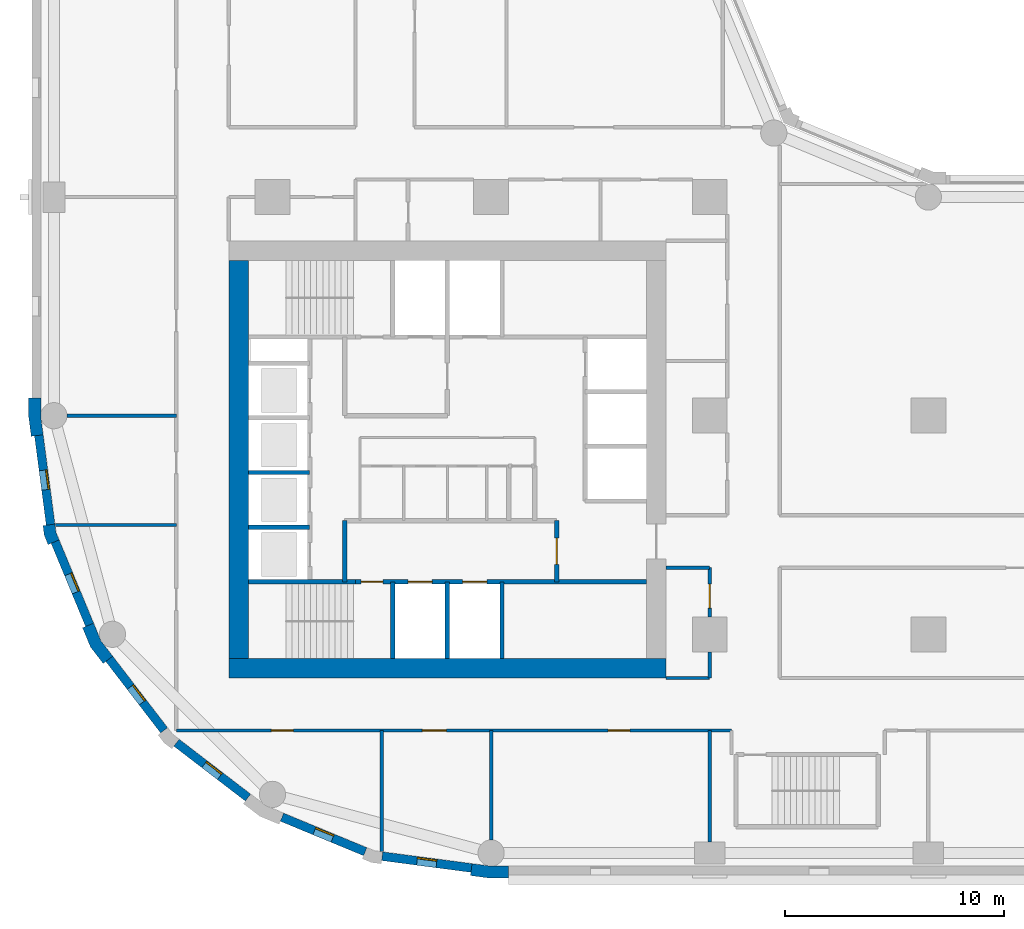
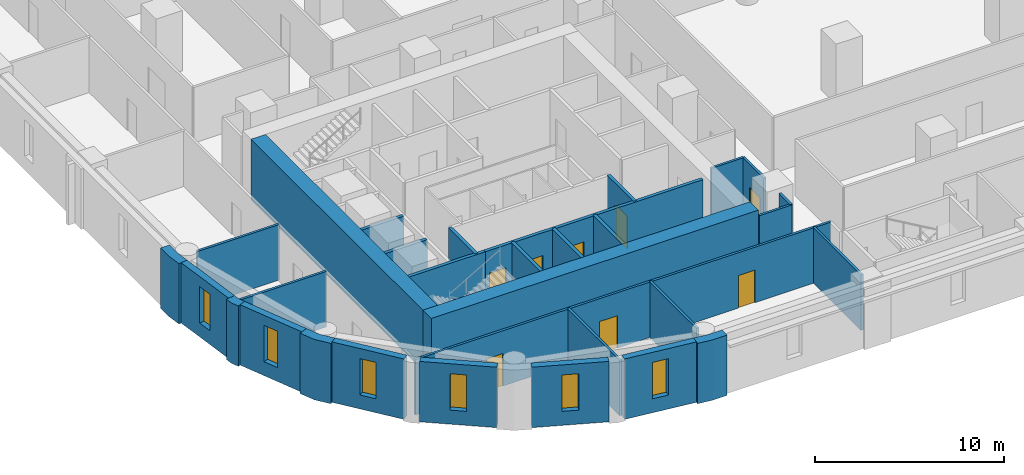
# One storey, part 2 of 10: 31 walls, 8 doors, 6 windows, 14 openings.
"""IFC4 building model written with IfcOpenShell, lengths in metres."""

import ifcopenshell
import ifcopenshell.guid

model = None  # the IFC model being written
_history = None  # IfcOwnerHistory: only IFC2X3 demands one
_inside = {}  # id of a spatial element -> (the spatial element, [elements in it])
_under = {}  # id of a project, library or spatial element -> (it, [spatial elements below it])
_declared = {}  # id of a project -> (the project, [libraries it declares])
_typed = {}  # id of a type object -> (the type object, [elements of that type])
_made_of = {}  # id of a material, layer set ... -> (it, [elements and type objects made of it])


def new_model(schema):
    """Start an empty IFC model of exactly this schema.

    Asked for "IFC4X3", IfcOpenShell would pick the latest addendum, in which some entities
    have other attributes; the version numbers below select the first issue.
    IFC2X3 requires an IfcOwnerHistory on every rooted entity: one is made here for all.
    """
    global model, _history
    if schema == "IFC4X3":
        model = ifcopenshell.file(schema_version=(4, 3, 0, 0))
    else:
        model = ifcopenshell.file(schema=schema)
    _inside.clear()
    _under.clear()
    _declared.clear()
    _typed.clear()
    _made_of.clear()
    _history = None
    if model.schema == "IFC2X3":
        org = make("IfcOrganization", Name="unknown")
        user = make(
            "IfcPersonAndOrganization",
            ThePerson=make("IfcPerson", FamilyName="unknown"),
            TheOrganization=org,
        )
        app = make(
            "IfcApplication",
            ApplicationDeveloper=org,
            Version="unknown",
            ApplicationFullName="unknown",
            ApplicationIdentifier="unknown",
        )
        _history = make(
            "IfcOwnerHistory",
            OwningUser=user,
            OwningApplication=app,
            ChangeAction="ADDED",
            CreationDate=0,
        )
    return model


def make(cls, **values):
    """One entity of the class cls with the attributes given. An attribute that is None is left unset."""
    return model.create_entity(
        cls, **{name: value for name, value in values.items() if value is not None}
    )


def rooted(cls, **values):
    """An entity with a GlobalId (a new one), such as an element, a storey or a relation."""
    return make(cls, GlobalId=ifcopenshell.guid.new(), OwnerHistory=_history, **values)


def si_unit(unit_type, name, prefix=None):
    """IfcSIUnit, for example si_unit("LENGTHUNIT", "METRE", prefix="MILLI")."""
    return make("IfcSIUnit", UnitType=unit_type, Prefix=prefix, Name=name)


def assignment(units):
    """IfcUnitAssignment: the units of a project."""
    return None if units is None else make("IfcUnitAssignment", Units=units)


def point(xyz):
    """IfcCartesianPoint."""
    return None if xyz is None else make("IfcCartesianPoint", Coordinates=xyz)


def direction(xyz):
    """IfcDirection."""
    return None if xyz is None else make("IfcDirection", DirectionRatios=xyz)


def frame(location, z_axis=None, x_axis=None):
    """IfcAxis2Placement3D, a coordinate frame: its origin and axes. An axis left out is left unset."""
    return make(
        "IfcAxis2Placement3D",
        Location=point(location),
        Axis=direction(z_axis),
        RefDirection=direction(x_axis),
    )


def frame_2d(location, x_axis=None):
    """IfcAxis2Placement2D, a coordinate frame in the plane: its origin and x axis."""
    return make(
        "IfcAxis2Placement2D", Location=point(location), RefDirection=direction(x_axis)
    )


def origin():
    """The frame at (0, 0, 0) with its axes left unset."""
    return frame((0.0, 0.0, 0.0))


def place(relative_to, where):
    """IfcLocalPlacement: puts the frame where relative to a parent placement (None: the world)."""
    return make(
        "IfcLocalPlacement", PlacementRelTo=relative_to, RelativePlacement=where
    )


def context(
    kind, dimensions, precision=None, world=None, true_north=None, identifier=None
):
    """IfcGeometricRepresentationContext, for example the 3D "Model" context."""
    return make(
        "IfcGeometricRepresentationContext",
        ContextIdentifier=identifier,
        ContextType=kind,
        CoordinateSpaceDimension=dimensions,
        Precision=precision,
        WorldCoordinateSystem=world,
        TrueNorth=true_north,
    )


def subcontext(parent, identifier, kind, view, scale=None):
    """IfcGeometricRepresentationSubContext, for example "Body" below "Model"."""
    return make(
        "IfcGeometricRepresentationSubContext",
        ContextIdentifier=identifier,
        ContextType=kind,
        ParentContext=parent,
        TargetScale=scale,
        TargetView=view,
    )


def project(units=None, contexts=None):
    """IfcProject with its units and contexts."""
    return rooted(
        "IfcProject",
        Name="project",
        RepresentationContexts=contexts,
        UnitsInContext=assignment(units),
    )


def spatial(cls, under=None, at=None, **own):
    """A site, building, storey or space (cls), placed at a placement, below another one or the project."""
    s = rooted(cls, ObjectPlacement=at, **own)
    if under is not None:
        _under.setdefault(under.id(), (under, []))[1].append(s)
    return s


def polyline(points):
    """IfcPolyline through the points."""
    return make("IfcPolyline", Points=[point(p) for p in points])


def profile(cls, at=None, kind="AREA", **sizes):
    """A parametric profile (cls). Its sizes go by their IFC names, for example OverallWidth=200.0."""
    return make(cls, ProfileType=kind, Position=at, **sizes)


def rectangle(**sizes):
    """IfcRectangleProfileDef."""
    return profile("IfcRectangleProfileDef", **sizes)


def outline(outer, holes=None, kind="AREA"):
    """IfcArbitraryClosedProfileDef: a profile drawn as a closed curve; with holes, ...WithVoids."""
    if holes is None:
        return make("IfcArbitraryClosedProfileDef", ProfileType=kind, OuterCurve=outer)
    return make(
        "IfcArbitraryProfileDefWithVoids",
        ProfileType=kind,
        OuterCurve=outer,
        InnerCurves=holes,
    )


def extrude(swept, where, along, depth):
    """IfcExtrudedAreaSolid: the profile swept, set in the frame where, extruded along a direction by depth."""
    return make(
        "IfcExtrudedAreaSolid",
        SweptArea=swept,
        Position=where,
        ExtrudedDirection=direction(along),
        Depth=depth,
    )


def shape(context_of_items, identifier, shape_type, items):
    """IfcShapeRepresentation: the items that make up one representation, for example the "Body"."""
    return make(
        "IfcShapeRepresentation",
        ContextOfItems=context_of_items,
        RepresentationIdentifier=identifier,
        RepresentationType=shape_type,
        Items=items,
    )


def material(Name=None, Category=None):
    """IfcMaterial."""
    return make("IfcMaterial", Name=Name, Category=Category)


def layer(
    of_material, thickness, ventilated=None, Name=None, Category=None, Priority=None
):
    """IfcMaterialLayer: one layer of a wall or slab, of a material (None: an air gap)."""
    return make(
        "IfcMaterialLayer",
        Material=of_material,
        LayerThickness=thickness,
        IsVentilated=ventilated,
        Name=Name,
        Category=Category,
        Priority=Priority,
    )


def layer_set(layers, Name=None):
    """IfcMaterialLayerSet."""
    return make("IfcMaterialLayerSet", MaterialLayers=layers, LayerSetName=Name)


def made_of(thing, what):
    """Note that an element or type object is made of a material, layer set ...; save() writes the relation."""
    if what is not None:
        _made_of.setdefault(what.id(), (what, []))[1].append(thing)
    return thing


def type_object(cls, material=None, **own):
    """A type object (cls), such as IfcWallType, which elements share."""
    return made_of(rooted(cls, **own), material)


def element(
    cls,
    number,
    at=None,
    inside=None,
    cuts=None,
    type_object=None,
    material=None,
    context=None,
    identifier="Body",
    shape_type=None,
    held_by="IfcProductDefinitionShape",
    body=None,
    shapes=None,
    **own,
):
    """One element of the class cls, such as IfcWall. Its Tag is "e" and its number.

    at: its placement. inside: the storey or other place that contains it. cuts: it is an
    opening in that element (IfcRelVoidsElement). A single representation is given by context,
    identifier, shape_type and body (its items); several are given by shapes. held_by: the class
    of the entity that holds the representations. save() writes the other relations.
    """
    e = rooted(cls, Tag="e%d" % number, ObjectPlacement=at, **own)
    if body is not None:
        shapes = [shape(context, identifier, shape_type, body)]
    if shapes is not None:
        e.Representation = make(held_by, Representations=shapes)
    if inside is not None:
        _inside.setdefault(inside.id(), (inside, []))[1].append(e)
    if cuts is not None:
        rooted(
            "IfcRelVoidsElement", RelatingBuildingElement=cuts, RelatedOpeningElement=e
        )
    if type_object is not None:
        _typed.setdefault(type_object.id(), (type_object, []))[1].append(e)
    return made_of(e, material)


def fill(opening, filler):
    """IfcRelFillsElement: the door or window that sits in an opening."""
    return rooted(
        "IfcRelFillsElement",
        RelatingOpeningElement=opening,
        RelatedBuildingElement=filler,
    )


def aggregate(whole, parts):
    """IfcRelAggregates: a whole, such as a stair, and the parts it consists of."""
    return rooted("IfcRelAggregates", RelatingObject=whole, RelatedObjects=parts)


def save(model, path):
    """Write the relations noted so far, then the file.

    IfcRelAggregates (storeys below a building ...), IfcRelContainedInSpatialStructure (elements
    in a storey), IfcRelDefinesByType, IfcRelAssociatesMaterial and IfcRelDeclares: one each for
    every whole, place, type object, material and project.
    """
    for whole, parts in _under.values():
        aggregate(whole, parts)
    for where, things in _inside.values():
        rooted(
            "IfcRelContainedInSpatialStructure",
            RelatedElements=things,
            RelatingStructure=where,
        )
    for kind, things in _typed.values():
        rooted("IfcRelDefinesByType", RelatedObjects=things, RelatingType=kind)
    for what, things in _made_of.values():
        rooted("IfcRelAssociatesMaterial", RelatedObjects=things, RelatingMaterial=what)
    for by, libraries in _declared.values():
        rooted("IfcRelDeclares", RelatingContext=by, RelatedDefinitions=libraries)
    model.write(path)


model = new_model("IFC4")

# Units and contexts
model_context = context("Model", 3, precision=1e-05, world=origin(), true_north=direction((0.0, 1.0)))
body_context = subcontext(model_context, "Body", "Model", "MODEL_VIEW")
ifc_project = project(units=[si_unit("LENGTHUNIT", "METRE"), si_unit("AREAUNIT", "SQUARE_METRE"), si_unit("VOLUMEUNIT", "CUBIC_METRE"), si_unit("PLANEANGLEUNIT", "RADIAN"), si_unit("MASSUNIT", "GRAM", prefix="KILO")], contexts=[model_context])

# Site, building, storey
site_placement = place(None, origin())
site = spatial("IfcSite", under=ifc_project, at=site_placement, CompositionType="ELEMENT")
building_placement = place(site_placement, origin())
building = spatial("IfcBuilding", under=site, at=building_placement, Name="Qaws Garden Tower", CompositionType="ELEMENT")
storey_placement = place(building_placement, frame((0.0, 0.0, 97.800048828125)))
storey = spatial("IfcBuildingStorey", under=building, at=storey_placement, Name="L24", CompositionType="ELEMENT", Elevation=97.800048828125)

# Wall, opening, window
ifc_material_1 = material(Name="Clay facing brick masonry", Category="masonry")
ifc_layer_1 = layer(ifc_material_1, 0.39990234375)
ifc_layer_set_1 = layer_set([ifc_layer_1], Name="Clay facing brick masonry")
wall_type_1 = type_object("IfcWallType", Name="Brick infill wall 400", PredefinedType="SOLIDWALL", material=ifc_layer_set_1)
wall_1_placement = place(storey_placement, frame((-0.688720703125, 19.102294921875, 0.0), z_axis=(0.0, 0.0, 1.0), x_axis=(0.130514280502, -0.991446429508, 0.0)))
wall_1 = element("IfcWall", 1, at=wall_1_placement, inside=storey, type_object=wall_type_1, Name="E-L24-infill-27", PredefinedType="SOLIDWALL", context=body_context, shape_type="SweptSolid", body=[
    extrude(rectangle(XDim=4.120849609375, YDim=0.39990234375, at=frame_2d((2.060546875, 0.0))), origin(), (0.0, 0.0, 1.0), 3.89990234375),
])
opening_1_placement = place(wall_1_placement, frame((1.610595703125, 0.0, 0.89990234375)))
opening_1 = element("IfcOpeningElement", 2, at=opening_1_placement, cuts=wall_1, Name="Opening W09", PredefinedType="OPENING", context=body_context, shape_type="SweptSolid", body=[
    extrude(rectangle(XDim=0.89990234375, YDim=2.35009765625, at=frame_2d((0.449951171875, 1.175048828125))), frame((0.0, 0.2099609375, 0.0), z_axis=(0.0, -1.0, 0.0), x_axis=(1.0, 0.0, 0.0)), (0.0, 0.0, 1.0), 0.419921875),
])
ifc_material_2 = material(Name="Aluminium framed window, clear glazing", Category="aluminium")
window_type = type_object("IfcWindowType", Name="Slit window 900 x 2350", PartitioningType="SINGLE_PANEL", PredefinedType="WINDOW", material=ifc_material_2)
window_1_placement = place(opening_1_placement, origin())
window_1 = element("IfcWindow", 3, at=window_1_placement, inside=storey, type_object=window_type, Name="E-L24-window-27-0", OverallHeight=2.35009765625, OverallWidth=0.89990234375, PartitioningType="SINGLE_PANEL", PredefinedType="WINDOW", context=body_context, shape_type="SweptSolid", body=[
    extrude(rectangle(XDim=0.89990234375, YDim=2.35009765625, at=frame_2d((0.449951171875, 1.175048828125))), frame((0.0, 0.159912109375, 0.0), z_axis=(0.0, -1.0, 0.0), x_axis=(1.0, 0.0, 0.0)), (0.0, 0.0, 1.0), 0.06005859375),
])
fill(opening_1, window_1)

wall_2_placement = place(storey_placement, frame((0.05712890625, 14.240234375, 0.0), z_axis=(0.0, 0.0, 1.0), x_axis=(0.382721546029, -0.923863744394, 0.0)))
wall_2 = element("IfcWall", 4, at=wall_2_placement, inside=storey, type_object=wall_type_1, Name="E-L24-infill-28", PredefinedType="SOLIDWALL", context=body_context, shape_type="SweptSolid", body=[
    extrude(rectangle(XDim=4.120849609375, YDim=0.39990234375, at=frame_2d((2.060546875, 0.0))), origin(), (0.0, 0.0, 1.0), 3.89990234375),
])
opening_2_placement = place(wall_2_placement, frame((1.610595703125, 0.0, 0.89990234375)))
opening_2 = element("IfcOpeningElement", 5, at=opening_2_placement, cuts=wall_2, Name="Opening W09", PredefinedType="OPENING", context=body_context, shape_type="SweptSolid", body=[
    extrude(rectangle(XDim=0.89990234375, YDim=2.35009765625, at=frame_2d((0.449951171875, 1.175048828125))), frame((0.0, 0.2099609375, 0.0), z_axis=(0.0, -1.0, 0.0), x_axis=(1.0, 0.0, 0.0)), (0.0, 0.0, 1.0), 0.419921875),
])
window_2_placement = place(opening_2_placement, origin())
window_2 = element("IfcWindow", 6, at=window_2_placement, inside=storey, type_object=window_type, Name="E-L24-window-28-0", OverallHeight=2.35009765625, OverallWidth=0.89990234375, PartitioningType="SINGLE_PANEL", PredefinedType="WINDOW", context=body_context, shape_type="SweptSolid", body=[
    extrude(rectangle(XDim=0.89990234375, YDim=2.35009765625, at=frame_2d((0.449951171875, 1.175048828125))), frame((0.0, 0.159912109375, 0.0), z_axis=(0.0, -1.0, 0.0), x_axis=(1.0, 0.0, 0.0)), (0.0, 0.0, 1.0), 0.06005859375),
])
fill(opening_2, window_2)

wall_3_placement = place(storey_placement, frame((2.53173828125, 8.87841796875, 0.0), z_axis=(0.0, 0.0, 1.0), x_axis=(0.608759824817, -0.793354571229, 0.0)))
wall_3 = element("IfcWall", 7, at=wall_3_placement, inside=storey, type_object=wall_type_1, Name="E-L24-infill-29", PredefinedType="SOLIDWALL", context=body_context, shape_type="SweptSolid", body=[
    extrude(rectangle(XDim=4.12109375, YDim=0.39990234375, at=frame_2d((2.060546875, 0.0))), origin(), (0.0, 0.0, 1.0), 3.89990234375),
])
opening_3_placement = place(wall_3_placement, frame((1.610595703125, 0.0, 0.89990234375)))
opening_3 = element("IfcOpeningElement", 8, at=opening_3_placement, cuts=wall_3, Name="Opening W09", PredefinedType="OPENING", context=body_context, shape_type="SweptSolid", body=[
    extrude(rectangle(XDim=0.89990234375, YDim=2.35009765625, at=frame_2d((0.449951171875, 1.175048828125))), frame((0.0, 0.2099609375, 0.0), z_axis=(0.0, -1.0, 0.0), x_axis=(1.0, 0.0, 0.0)), (0.0, 0.0, 1.0), 0.419921875),
])
window_3_placement = place(opening_3_placement, origin())
window_3 = element("IfcWindow", 9, at=window_3_placement, inside=storey, type_object=window_type, Name="E-L24-window-29-0", OverallHeight=2.35009765625, OverallWidth=0.89990234375, PartitioningType="SINGLE_PANEL", PredefinedType="WINDOW", context=body_context, shape_type="SweptSolid", body=[
    extrude(rectangle(XDim=0.89990234375, YDim=2.35009765625, at=frame_2d((0.449951171875, 1.175048828125))), frame((0.0, 0.159912109375, 0.0), z_axis=(0.0, -1.0, 0.0), x_axis=(1.0, 0.0, 0.0)), (0.0, 0.0, 1.0), 0.06005859375),
])
fill(opening_3, window_3)

wall_4_placement = place(storey_placement, frame((5.60888671875, 5.04052734375, 0.0), z_axis=(0.0, 0.0, 1.0), x_axis=(0.793354571229, -0.608759824817, 0.0)))
wall_4 = element("IfcWall", 10, at=wall_4_placement, inside=storey, type_object=wall_type_1, Name="E-L24-infill-30", PredefinedType="SOLIDWALL", context=body_context, shape_type="SweptSolid", body=[
    extrude(rectangle(XDim=4.12109375, YDim=0.39990234375, at=frame_2d((2.060546875, 0.0))), origin(), (0.0, 0.0, 1.0), 3.89990234375),
])
opening_4_placement = place(wall_4_placement, frame((1.610595703125, 0.0, 0.89990234375)))
opening_4 = element("IfcOpeningElement", 11, at=opening_4_placement, cuts=wall_4, Name="Opening W09", PredefinedType="OPENING", context=body_context, shape_type="SweptSolid", body=[
    extrude(rectangle(XDim=0.89990234375, YDim=2.35009765625, at=frame_2d((0.449951171875, 1.175048828125))), frame((0.0, 0.2099609375, 0.0), z_axis=(0.0, -1.0, 0.0), x_axis=(1.0, 0.0, 0.0)), (0.0, 0.0, 1.0), 0.419921875),
])
window_4_placement = place(opening_4_placement, origin())
window_4 = element("IfcWindow", 12, at=window_4_placement, inside=storey, type_object=window_type, Name="E-L24-window-30-0", OverallHeight=2.35009765625, OverallWidth=0.89990234375, PartitioningType="SINGLE_PANEL", PredefinedType="WINDOW", context=body_context, shape_type="SweptSolid", body=[
    extrude(rectangle(XDim=0.89990234375, YDim=2.35009765625, at=frame_2d((0.449951171875, 1.175048828125))), frame((0.0, 0.159912109375, 0.0), z_axis=(0.0, -1.0, 0.0), x_axis=(1.0, 0.0, 0.0)), (0.0, 0.0, 1.0), 0.06005859375),
])
fill(opening_4, window_4)

wall_5_placement = place(storey_placement, frame((10.43310546875, 1.63427734375, 0.0), z_axis=(0.0, 0.0, 1.0), x_axis=(0.923863744394, -0.382721546029, 0.0)))
wall_5 = element("IfcWall", 13, at=wall_5_placement, inside=storey, type_object=wall_type_1, Name="E-L24-infill-31", PredefinedType="SOLIDWALL", context=body_context, shape_type="SweptSolid", body=[
    extrude(rectangle(XDim=4.120849609375, YDim=0.39990234375, at=frame_2d((2.060546875, 0.0))), origin(), (0.0, 0.0, 1.0), 3.89990234375),
])
opening_5_placement = place(wall_5_placement, frame((1.610595703125, 0.0, 0.89990234375)))
opening_5 = element("IfcOpeningElement", 14, at=opening_5_placement, cuts=wall_5, Name="Opening W09", PredefinedType="OPENING", context=body_context, shape_type="SweptSolid", body=[
    extrude(rectangle(XDim=0.89990234375, YDim=2.35009765625, at=frame_2d((0.449951171875, 1.175048828125))), frame((0.0, 0.2099609375, 0.0), z_axis=(0.0, -1.0, 0.0), x_axis=(1.0, 0.0, 0.0)), (0.0, 0.0, 1.0), 0.419921875),
])
window_5_placement = place(opening_5_placement, origin())
window_5 = element("IfcWindow", 15, at=window_5_placement, inside=storey, type_object=window_type, Name="E-L24-window-31-0", OverallHeight=2.35009765625, OverallWidth=0.89990234375, PartitioningType="SINGLE_PANEL", PredefinedType="WINDOW", context=body_context, shape_type="SweptSolid", body=[
    extrude(rectangle(XDim=0.89990234375, YDim=2.35009765625, at=frame_2d((0.449951171875, 1.175048828125))), frame((0.0, 0.159912109375, 0.0), z_axis=(0.0, -1.0, 0.0), x_axis=(1.0, 0.0, 0.0)), (0.0, 0.0, 1.0), 0.06005859375),
])
fill(opening_5, window_5)

wall_6_placement = place(storey_placement, frame((15.0166015625, -0.15087890625, 0.0), z_axis=(0.0, 0.0, 1.0), x_axis=(0.991446429508, -0.130514280502, 0.0)))
wall_6 = element("IfcWall", 16, at=wall_6_placement, inside=storey, type_object=wall_type_1, Name="E-L24-infill-32", PredefinedType="SOLIDWALL", context=body_context, shape_type="SweptSolid", body=[
    extrude(rectangle(XDim=4.120849609375, YDim=0.39990234375, at=frame_2d((2.060546875, 0.0))), origin(), (0.0, 0.0, 1.0), 3.89990234375),
])
opening_6_placement = place(wall_6_placement, frame((1.610595703125, 0.0, 0.89990234375)))
opening_6 = element("IfcOpeningElement", 17, at=opening_6_placement, cuts=wall_6, Name="Opening W09", PredefinedType="OPENING", context=body_context, shape_type="SweptSolid", body=[
    extrude(rectangle(XDim=0.89990234375, YDim=2.35009765625, at=frame_2d((0.449951171875, 1.175048828125))), frame((0.0, 0.2099609375, 0.0), z_axis=(0.0, -1.0, 0.0), x_axis=(1.0, 0.0, 0.0)), (0.0, 0.0, 1.0), 0.419921875),
])
window_6_placement = place(opening_6_placement, origin())
window_6 = element("IfcWindow", 18, at=window_6_placement, inside=storey, type_object=window_type, Name="E-L24-window-32-0", OverallHeight=2.35009765625, OverallWidth=0.89990234375, PartitioningType="SINGLE_PANEL", PredefinedType="WINDOW", context=body_context, shape_type="SweptSolid", body=[
    extrude(rectangle(XDim=0.89990234375, YDim=2.35009765625, at=frame_2d((0.449951171875, 1.175048828125))), frame((0.0, 0.159912109375, 0.0), z_axis=(0.0, -1.0, 0.0), x_axis=(1.0, 0.0, 0.0)), (0.0, 0.0, 1.0), 0.06005859375),
])
fill(opening_6, window_6)

# Walls
ifc_material_3 = material(Name="Clay facing brick masonry", Category="masonry")
ifc_layer_2 = layer(ifc_material_3, 0.550048828125)
ifc_layer_set_2 = layer_set([ifc_layer_2], Name="Clay facing brick masonry")
wall_type_2 = type_object("IfcWallType", Name="Brick kink pier 550 x 600", PredefinedType="SOLIDWALL", material=ifc_layer_set_2)
placement = place(storey_placement, origin())
element("IfcWall", 19, at=placement, inside=storey, type_object=wall_type_2, Name="E-L24-pier-28", PredefinedType="SOLIDWALL", context=body_context, shape_type="SweptSolid", body=[
    extrude(outline(polyline([(-0.34912109375, 14.990478515625), (-0.497802734375, 14.970947265625), (-0.43896484375, 14.5234375), (-0.26611328125, 14.1064453125), (-0.127685546875, 14.163818359375), (0.241943359375, 14.31689453125), (0.096923828125, 14.6669921875), (0.04736328125, 15.042724609375), (-0.34912109375, 14.990478515625)])), origin(), (0.0, 0.0, 1.0), 3.89990234375),
])
ifc_material_4 = material(Name="Clay facing brick masonry", Category="masonry")
ifc_layer_3 = layer(ifc_material_4, 0.550048828125)
ifc_layer_set_3 = layer_set([ifc_layer_3], Name="Clay facing brick masonry")
wall_type_3 = type_object("IfcWallType", Name="Brick pier 550 x 1600", PredefinedType="SOLIDWALL", material=ifc_layer_set_3)
element("IfcWall", 20, at=placement, inside=storey, type_object=wall_type_3, Name="E-L24-pier-00", PredefinedType="SOLIDWALL", context=body_context, shape_type="SweptSolid", body=[
    extrude(outline(polyline([(19.076416015625, -0.886962890625), (19.056640625, -1.03564453125), (19.924560546875, -1.14990234375), (20.800048828125, -1.14990234375), (20.800048828125, -1.0), (20.800048828125, -0.60009765625), (19.960693359375, -0.60009765625), (19.12841796875, -0.490478515625), (19.076416015625, -0.886962890625)])), origin(), (0.0, 0.0, 1.0), 3.89990234375),
])
element("IfcWall", 21, at=placement, inside=storey, type_object=wall_type_3, Name="E-L24-pier-27", PredefinedType="SOLIDWALL", context=body_context, shape_type="SweptSolid", body=[
    extrude(outline(polyline([(-1.0, 20.800048828125), (-1.14990234375, 20.800048828125), (-1.14990234375, 19.924560546875), (-1.03564453125, 19.056640625), (-0.886962890625, 19.076416015625), (-0.490478515625, 19.12841796875), (-0.60009765625, 19.960693359375), (-0.60009765625, 20.800048828125), (-1.0, 20.800048828125)])), origin(), (0.0, 0.0, 1.0), 3.89990234375),
])
element("IfcWall", 22, at=placement, inside=storey, type_object=wall_type_3, Name="E-L24-pier-29", PredefinedType="SOLIDWALL", context=body_context, shape_type="SweptSolid", body=[
    extrude(outline(polyline([(1.449462890625, 10.3564453125), (1.310791015625, 10.299072265625), (1.675048828125, 9.419921875), (2.254150390625, 8.665283203125), (2.373046875, 8.756591796875), (2.6904296875, 9.0), (2.1552734375, 9.697509765625), (1.819091796875, 10.509521484375), (1.449462890625, 10.3564453125)])), origin(), (0.0, 0.0, 1.0), 3.89990234375),
])
ifc_material_5 = material(Name="Concrete C80", Category="concrete")
ifc_layer_4 = layer(ifc_material_5, 0.199951171875)
ifc_layer_set_4 = layer_set([ifc_layer_4], Name="Concrete C80")
wall_type_4 = type_object("IfcWallType", Name="Core shaft wall 200 C80", PredefinedType="SHEAR", material=ifc_layer_set_4)
wall_11_placement = place(storey_placement, frame((8.89990234375, 12.39990234375, 0.0), z_axis=(0.0, 0.0, 1.0), x_axis=(1.0, 0.0, 0.0)))
element("IfcWall", 23, at=wall_11_placement, inside=storey, type_object=wall_type_4, Name="Shaft wall", PredefinedType="SHEAR", context=body_context, shape_type="SweptSolid", body=[
    extrude(rectangle(XDim=4.900146484375, YDim=0.199951171875, at=frame_2d((2.4501953125, 0.0))), origin(), (0.0, 0.0, 1.0), 3.579833984375),
])

# Wall, openings, doors
wall_12_placement = place(storey_placement, frame((13.800048828125, 12.39990234375, 0.0), z_axis=(0.0, 0.0, 1.0), x_axis=(1.0, 0.0, 0.0)))
wall_12 = element("IfcWall", 24, at=wall_12_placement, inside=storey, type_object=wall_type_4, Name="Shaft wall", PredefinedType="SHEAR", context=body_context, shape_type="SweptSolid", body=[
    extrude(rectangle(XDim=13.300048828125, YDim=0.199951171875, at=frame_2d((6.64990234375, 0.0))), origin(), (0.0, 0.0, 1.0), 3.579833984375),
])
opening_7_placement = place(wall_12_placement, frame((2.39990234375, 0.0, 0.0)))
opening_7 = element("IfcOpeningElement", 25, at=opening_7_placement, cuts=wall_12, Name="Opening LD06", PredefinedType="OPENING", context=body_context, shape_type="SweptSolid", body=[
    extrude(rectangle(XDim=1.10009765625, YDim=2.10009765625, at=frame_2d((0.550048828125, 1.050048828125))), frame((0.0, 0.10986328125, 0.0), z_axis=(0.0, -1.0, 0.0), x_axis=(1.0, 0.0, 0.0)), (0.0, 0.0, 1.0), 0.219970703125),
])
opening_8_placement = place(wall_12_placement, frame((4.89990234375, 0.0, 0.0)))
opening_8 = element("IfcOpeningElement", 26, at=opening_8_placement, cuts=wall_12, Name="Opening LD07", PredefinedType="OPENING", context=body_context, shape_type="SweptSolid", body=[
    extrude(rectangle(XDim=1.10009765625, YDim=2.10009765625, at=frame_2d((0.550048828125, 1.050048828125))), frame((0.0, 0.10986328125, 0.0), z_axis=(0.0, -1.0, 0.0), x_axis=(1.0, 0.0, 0.0)), (0.0, 0.0, 1.0), 0.219970703125),
])
opening_9_placement = place(wall_12_placement, frame((0.25, 0.0, 0.0)))
opening_9 = element("IfcOpeningElement", 27, at=opening_9_placement, cuts=wall_12, Name="Opening SD10", PredefinedType="OPENING", context=body_context, shape_type="SweptSolid", body=[
    extrude(rectangle(XDim=1.0, YDim=2.10009765625, at=frame_2d((0.5, 1.050048828125))), frame((0.0, 0.10986328125, 0.0), z_axis=(0.0, -1.0, 0.0), x_axis=(1.0, 0.0, 0.0)), (0.0, 0.0, 1.0), 0.219970703125),
])
ifc_material_6 = material(Name="Steel S235", Category="steel")
door_type_1 = type_object("IfcDoorType", Name="Landing door 1100x2100", OperationType="DOUBLE_DOOR_SLIDING", PredefinedType="DOOR", material=ifc_material_6)
door_1_placement = place(opening_7_placement, origin())
door_1 = element("IfcDoor", 28, at=door_1_placement, inside=storey, type_object=door_type_1, Name="Lift FF1 landing door", OperationType="DOUBLE_DOOR_SLIDING", OverallHeight=2.10009765625, OverallWidth=1.10009765625, PredefinedType="DOOR", context=body_context, shape_type="SweptSolid", body=[
    extrude(rectangle(XDim=1.10009765625, YDim=2.10009765625, at=frame_2d((0.550048828125, 1.050048828125))), frame((0.0, 0.02490234375, 0.0), z_axis=(0.0, -1.0, 0.0), x_axis=(1.0, 0.0, 0.0)), (0.0, 0.0, 1.0), 0.050048828125),
])
fill(opening_7, door_1)
door_2_placement = place(opening_8_placement, origin())
door_2 = element("IfcDoor", 29, at=door_2_placement, inside=storey, type_object=door_type_1, Name="Lift FF2 landing door", OperationType="DOUBLE_DOOR_SLIDING", OverallHeight=2.10009765625, OverallWidth=1.10009765625, PredefinedType="DOOR", context=body_context, shape_type="SweptSolid", body=[
    extrude(rectangle(XDim=1.10009765625, YDim=2.10009765625, at=frame_2d((0.550048828125, 1.050048828125))), frame((0.0, 0.02490234375, 0.0), z_axis=(0.0, -1.0, 0.0), x_axis=(1.0, 0.0, 0.0)), (0.0, 0.0, 1.0), 0.050048828125),
])
fill(opening_8, door_2)
ifc_material_7 = material(Name="Steel S235", Category="steel")
door_type_2 = type_object("IfcDoorType", Name="Stair door 1000x2100", OperationType="SINGLE_SWING_RIGHT", PredefinedType="DOOR", material=ifc_material_7)
door_3_placement = place(opening_9_placement, frame((1.0, 0.0, 0.0), z_axis=(0.0, 0.0, 1.0), x_axis=(-1.0, 0.0, 0.0)))
door_3 = element("IfcDoor", 30, at=door_3_placement, inside=storey, type_object=door_type_2, Name="Stair 1 door", OperationType="SINGLE_SWING_LEFT", OverallHeight=2.10009765625, OverallWidth=1.0, PredefinedType="DOOR", context=body_context, shape_type="SweptSolid", body=[
    extrude(rectangle(XDim=1.0, YDim=2.10009765625, at=frame_2d((0.5, 1.050048828125))), frame((0.0, 0.02490234375, 0.0), z_axis=(0.0, -1.0, 0.0), x_axis=(1.0, 0.0, 0.0)), (0.0, 0.0, 1.0), 0.050048828125),
])
fill(opening_9, door_3)

# Walls
for number, where, z_axis, x_axis, name in (
    (31, (8.89990234375, 14.89990234375, 0.0), (0.0, 0.0, 1.0), (1.0, 0.0, 0.0), "Shaft wall"),
    (32, (8.89990234375, 17.39990234375, 0.0), (0.0, 0.0, 1.0), (1.0, 0.0, 0.0), "Shaft wall"),
    (33, (13.300048828125, 12.39990234375, 0.0), (0.0, 0.0, 1.0), (0.0, 1.0, 0.0), "Shaft wall"),
):
    element("IfcWall", number, at=place(storey_placement, frame(where, z_axis=z_axis, x_axis=x_axis)), inside=storey, type_object=wall_type_4, Name=name, PredefinedType="SHEAR", context=body_context, shape_type="SweptSolid", body=[
        extrude(rectangle(XDim=2.800048828125, YDim=0.199951171875, at=frame_2d((1.39990234375, 0.0))), origin(), (0.0, 0.0, 1.0), 3.579833984375),
    ])
for number, where, z_axis, x_axis, name in (
    (34, (15.5, 8.89990234375, 0.0), (0.0, 0.0, 1.0), (0.0, 1.0, 0.0), "Shaft wall"),
    (35, (18.0, 8.89990234375, 0.0), (0.0, 0.0, 1.0), (0.0, 1.0, 0.0), "Shaft wall"),
    (36, (20.5, 8.89990234375, 0.0), (0.0, 0.0, 1.0), (0.0, 1.0, 0.0), "Shaft wall"),
):
    element("IfcWall", number, at=place(storey_placement, frame(where, z_axis=z_axis, x_axis=x_axis)), inside=storey, type_object=wall_type_4, Name=name, PredefinedType="SHEAR", context=body_context, shape_type="SweptSolid", body=[
        extrude(rectangle(XDim=3.5, YDim=0.199951171875, at=frame_2d((1.75, 0.0))), origin(), (0.0, 0.0, 1.0), 3.579833984375),
    ])

# Wall, opening, door
wall_13_placement = place(storey_placement, frame((23.0, 12.39990234375, 0.0), z_axis=(0.0, 0.0, 1.0), x_axis=(0.0, 1.0, 0.0)))
wall_13 = element("IfcWall", 37, at=wall_13_placement, inside=storey, type_object=wall_type_4, Name="Shaft wall", PredefinedType="SHEAR", context=body_context, shape_type="SweptSolid", body=[
    extrude(rectangle(XDim=2.800048828125, YDim=0.199951171875, at=frame_2d((1.39990234375, 0.0))), origin(), (0.0, 0.0, 1.0), 3.579833984375),
])
opening_10_placement = place(wall_13_placement, frame((0.800048828125, 0.0, 0.0)))
opening_10 = element("IfcOpeningElement", 38, at=opening_10_placement, cuts=wall_13, Name="Opening FD15", PredefinedType="OPENING", context=body_context, shape_type="SweptSolid", body=[
    extrude(rectangle(XDim=1.199951171875, YDim=2.10009765625, at=frame_2d((0.60009765625, 1.050048828125))), frame((0.0, 0.10986328125, 0.0), z_axis=(0.0, -1.0, 0.0), x_axis=(1.0, 0.0, 0.0)), (0.0, 0.0, 1.0), 0.219970703125),
])
ifc_material_8 = material(Name="Steel S235", Category="steel")
door_type_3 = type_object("IfcDoorType", Name="Lobby door 1200x2100", OperationType="DOUBLE_DOOR_SINGLE_SWING", PredefinedType="DOOR", material=ifc_material_8)
door_4_placement = place(opening_10_placement, origin())
door_4 = element("IfcDoor", 39, at=door_4_placement, inside=storey, type_object=door_type_3, Name="Fire-fighting lobby door", OperationType="DOUBLE_DOOR_SINGLE_SWING", OverallHeight=2.10009765625, OverallWidth=1.199951171875, PredefinedType="DOOR", context=body_context, shape_type="SweptSolid", body=[
    extrude(rectangle(XDim=1.199951171875, YDim=2.10009765625, at=frame_2d((0.60009765625, 1.050048828125))), frame((0.0, 0.02490234375, 0.0), z_axis=(0.0, -1.0, 0.0), x_axis=(1.0, 0.0, 0.0)), (0.0, 0.0, 1.0), 0.050048828125),
])
fill(opening_10, door_4)

# Walls
ifc_material_9 = material(Name="Concrete C80", Category="concrete")
ifc_layer_5 = layer(ifc_material_9, 0.89990234375)
ifc_layer_set_5 = layer_set([ifc_layer_5], Name="Concrete C80")
wall_type_5 = type_object("IfcWallType", Name="Core wall 900 C80", PredefinedType="SHEAR", material=ifc_layer_set_5)
wall_14_placement = place(storey_placement, frame((8.0, 8.449951171875, 0.0), z_axis=(0.0, 0.0, 1.0), x_axis=(1.0, 0.0, 0.0)))
element("IfcWall", 40, at=wall_14_placement, inside=storey, type_object=wall_type_5, Name="Core wall L24 south", PredefinedType="SHEAR", context=body_context, shape_type="SweptSolid", body=[
    extrude(rectangle(XDim=20.0, YDim=0.89990234375, at=frame_2d((10.0, 0.0))), origin(), (0.0, 0.0, 1.0), 3.89990234375),
])
wall_15_placement = place(storey_placement, frame((8.449951171875, 27.10009765625, 0.0), z_axis=(0.0, 0.0, 1.0), x_axis=(0.0, -1.0, 0.0)))
element("IfcWall", 41, at=wall_15_placement, inside=storey, type_object=wall_type_5, Name="Core wall L24 west", PredefinedType="SHEAR", context=body_context, shape_type="SweptSolid", body=[
    extrude(rectangle(XDim=18.2001953125, YDim=0.89990234375, at=frame_2d((9.10009765625, 0.0))), origin(), (0.0, 0.0, 1.0), 3.89990234375),
])
ifc_material_10 = material(Name="Gypsum board partition")
ifc_layer_6 = layer(ifc_material_10, 0.14990234375)
ifc_layer_set_6 = layer_set([ifc_layer_6], Name="Gypsum board partition")
wall_type_6 = type_object("IfcWallType", Name="PARTITION 150 EI 60", PredefinedType="PARTITIONING", material=ifc_layer_set_6)
wall_16_placement = place(storey_placement, frame((15.0, 0.06298828125, 0.0), z_axis=(0.0, 0.0, 1.0), x_axis=(0.0, 1.0, 0.0)))
element("IfcWall", 42, at=wall_16_placement, inside=storey, type_object=wall_type_6, Name="O-L24-wall-007", PredefinedType="PARTITIONING", context=body_context, shape_type="SweptSolid", body=[
    extrude(rectangle(XDim=5.537109375, YDim=0.14990234375, at=frame_2d((2.7685546875, 0.0))), origin(), (0.0, 0.0, 1.0), 3.579833984375),
])
wall_17_placement = place(storey_placement, frame((20.0, 0.60009765625, 0.0), z_axis=(0.0, 0.0, 1.0), x_axis=(0.0, 1.0, 0.0)))
element("IfcWall", 43, at=wall_17_placement, inside=storey, type_object=wall_type_6, Name="O-L24-wall-010", PredefinedType="PARTITIONING", context=body_context, shape_type="SweptSolid", body=[
    extrude(rectangle(XDim=5.0, YDim=0.14990234375, at=frame_2d((2.5, 0.0))), origin(), (0.0, 0.0, 1.0), 3.579833984375),
])
wall_18_placement = place(storey_placement, frame((30.0, 0.5, 0.0), z_axis=(0.0, 0.0, 1.0), x_axis=(0.0, 1.0, 0.0)))
element("IfcWall", 44, at=wall_18_placement, inside=storey, type_object=wall_type_6, Name="O-L24-wall-016", PredefinedType="PARTITIONING", context=body_context, shape_type="SweptSolid", body=[
    extrude(rectangle(XDim=5.10009765625, YDim=0.14990234375, at=frame_2d((2.550048828125, 0.0))), origin(), (0.0, 0.0, 1.0), 3.579833984375),
])
wall_19_placement = place(storey_placement, frame((30.0, 8.0, 0.0), z_axis=(0.0, 0.0, 1.0), x_axis=(0.0, 1.0, 0.0)))
element("IfcWall", 45, at=wall_19_placement, inside=storey, type_object=wall_type_6, Name="O-L24-wall-017", PredefinedType="PARTITIONING", context=body_context, shape_type="SweptSolid", body=[
    extrude(rectangle(XDim=1.199951171875, YDim=0.14990234375, at=frame_2d((0.60009765625, 0.0))), origin(), (0.0, 0.0, 1.0), 3.579833984375),
])

# Wall, opening, door
wall_20_placement = place(storey_placement, frame((30.0, 10.800048828125, 0.0), z_axis=(0.0, 0.0, 1.0), x_axis=(0.0, 1.0, 0.0)))
wall_20 = element("IfcWall", 46, at=wall_20_placement, inside=storey, type_object=wall_type_6, Name="O-L24-wall-018", PredefinedType="PARTITIONING", context=body_context, shape_type="SweptSolid", body=[
    extrude(rectangle(XDim=2.25, YDim=0.14990234375, at=frame_2d((1.125, 0.0))), origin(), (0.0, 0.0, 1.0), 3.579833984375),
])
opening_11_placement = place(wall_20_placement, frame((0.39990234375, 0.0, 0.0)))
opening_11 = element("IfcOpeningElement", 47, at=opening_11_placement, cuts=wall_20, Name="Opening A807", PredefinedType="OPENING", context=body_context, shape_type="SweptSolid", body=[
    extrude(rectangle(XDim=1.10009765625, YDim=2.10009765625, at=frame_2d((0.550048828125, 1.050048828125))), frame((0.0, 0.0849609375, 0.0), z_axis=(0.0, -1.0, 0.0), x_axis=(1.0, 0.0, 0.0)), (0.0, 0.0, 1.0), 0.169921875),
])
ifc_material_11 = material(Name="Timber door leaf", Category="wood")
door_type_4 = type_object("IfcDoorType", Name="SERVICE ROOM DOOR 1100 X 2100", OperationType="SINGLE_SWING_LEFT", PredefinedType="DOOR", material=ifc_material_11)
door_5_placement = place(opening_11_placement, origin())
door_5 = element("IfcDoor", 48, at=door_5_placement, inside=storey, type_object=door_type_4, Name="O-L24-door-007", OperationType="SINGLE_SWING_LEFT", OverallHeight=2.10009765625, OverallWidth=1.10009765625, PredefinedType="DOOR", context=body_context, shape_type="SweptSolid", body=[
    extrude(rectangle(XDim=1.10009765625, YDim=2.10009765625, at=frame_2d((0.550048828125, 1.050048828125))), frame((0.0, 0.02490234375, 0.0), z_axis=(0.0, -1.0, 0.0), x_axis=(1.0, 0.0, 0.0)), (0.0, 0.0, 1.0), 0.050048828125),
])
fill(opening_11, door_5)

# Wall, openings, doors
wall_21_placement = place(storey_placement, frame((5.60009765625, 5.60009765625, 0.0), z_axis=(0.0, 0.0, 1.0), x_axis=(1.0, 0.0, 0.0)))
wall_21 = element("IfcWall", 49, at=wall_21_placement, inside=storey, type_object=wall_type_6, Name="O-L24-wall-031", PredefinedType="PARTITIONING", context=body_context, shape_type="SweptSolid", body=[
    extrude(rectangle(XDim=25.39990234375, YDim=0.14990234375, at=frame_2d((12.699951171875, 0.0))), origin(), (0.0, 0.0, 1.0), 3.579833984375),
])
opening_12_placement = place(wall_21_placement, frame((4.35009765625, 0.0, 0.0)))
opening_12 = element("IfcOpeningElement", 50, at=opening_12_placement, cuts=wall_21, Name="Opening A826", PredefinedType="OPENING", context=body_context, shape_type="SweptSolid", body=[
    extrude(rectangle(XDim=1.0, YDim=2.10009765625, at=frame_2d((0.5, 1.050048828125))), frame((0.0, 0.0849609375, 0.0), z_axis=(0.0, -1.0, 0.0), x_axis=(1.0, 0.0, 0.0)), (0.0, 0.0, 1.0), 0.169921875),
])
opening_13_placement = place(wall_21_placement, frame((11.25, 0.0, 0.0)))
opening_13 = element("IfcOpeningElement", 51, at=opening_13_placement, cuts=wall_21, Name="Opening A827", PredefinedType="OPENING", context=body_context, shape_type="SweptSolid", body=[
    extrude(rectangle(XDim=1.10009765625, YDim=2.10009765625, at=frame_2d((0.550048828125, 1.050048828125))), frame((0.0, 0.0849609375, 0.0), z_axis=(0.0, -1.0, 0.0), x_axis=(1.0, 0.0, 0.0)), (0.0, 0.0, 1.0), 0.169921875),
])
opening_14_placement = place(wall_21_placement, frame((19.75, 0.0, 0.0)))
opening_14 = element("IfcOpeningElement", 52, at=opening_14_placement, cuts=wall_21, Name="Opening A828", PredefinedType="OPENING", context=body_context, shape_type="SweptSolid", body=[
    extrude(rectangle(XDim=1.0, YDim=2.10009765625, at=frame_2d((0.5, 1.050048828125))), frame((0.0, 0.0849609375, 0.0), z_axis=(0.0, -1.0, 0.0), x_axis=(1.0, 0.0, 0.0)), (0.0, 0.0, 1.0), 0.169921875),
])
door_6_placement = place(opening_13_placement, frame((1.10009765625, 0.0, 0.0), z_axis=(0.0, 0.0, 1.0), x_axis=(-1.0, 0.0, 0.0)))
door_6 = element("IfcDoor", 53, at=door_6_placement, inside=storey, type_object=door_type_4, Name="O-L24-door-027", OperationType="SINGLE_SWING_LEFT", OverallHeight=2.10009765625, OverallWidth=1.10009765625, PredefinedType="DOOR", context=body_context, shape_type="SweptSolid", body=[
    extrude(rectangle(XDim=1.10009765625, YDim=2.10009765625, at=frame_2d((0.550048828125, 1.050048828125))), frame((0.0, 0.02490234375, 0.0), z_axis=(0.0, -1.0, 0.0), x_axis=(1.0, 0.0, 0.0)), (0.0, 0.0, 1.0), 0.050048828125),
])
fill(opening_13, door_6)
ifc_material_12 = material(Name="Timber door leaf", Category="wood")
door_type_5 = type_object("IfcDoorType", Name="TENANCY ENTRANCE DOOR 1000 X 2100", OperationType="SINGLE_SWING_LEFT", PredefinedType="DOOR", material=ifc_material_12)
door_7_placement = place(opening_12_placement, frame((1.0, 0.0, 0.0), z_axis=(0.0, 0.0, 1.0), x_axis=(-1.0, 0.0, 0.0)))
door_7 = element("IfcDoor", 54, at=door_7_placement, inside=storey, type_object=door_type_5, Name="O-L24-door-026", OperationType="SINGLE_SWING_LEFT", OverallHeight=2.10009765625, OverallWidth=1.0, PredefinedType="DOOR", context=body_context, shape_type="SweptSolid", body=[
    extrude(rectangle(XDim=1.0, YDim=2.10009765625, at=frame_2d((0.5, 1.050048828125))), frame((0.0, 0.02490234375, 0.0), z_axis=(0.0, -1.0, 0.0), x_axis=(1.0, 0.0, 0.0)), (0.0, 0.0, 1.0), 0.050048828125),
])
fill(opening_12, door_7)
door_8_placement = place(opening_14_placement, frame((1.0, 0.0, 0.0), z_axis=(0.0, 0.0, 1.0), x_axis=(-1.0, 0.0, 0.0)))
door_8 = element("IfcDoor", 55, at=door_8_placement, inside=storey, type_object=door_type_5, Name="O-L24-door-028", OperationType="SINGLE_SWING_LEFT", OverallHeight=2.10009765625, OverallWidth=1.0, PredefinedType="DOOR", context=body_context, shape_type="SweptSolid", body=[
    extrude(rectangle(XDim=1.0, YDim=2.10009765625, at=frame_2d((0.5, 1.050048828125))), frame((0.0, 0.02490234375, 0.0), z_axis=(0.0, -1.0, 0.0), x_axis=(1.0, 0.0, 0.0)), (0.0, 0.0, 1.0), 0.050048828125),
])
fill(opening_14, door_8)

# Walls
for number, where, z_axis, x_axis, name in (
    (56, (28.0, 8.0, 0.0), (0.0, 0.0, 1.0), (1.0, 0.0, 0.0), "O-L24-wall-033"),
    (57, (28.0, 13.050048828125, 0.0), (0.0, 0.0, 1.0), (1.0, 0.0, 0.0), "O-L24-wall-035"),
):
    element("IfcWall", number, at=place(storey_placement, frame(where, z_axis=z_axis, x_axis=x_axis)), inside=storey, type_object=wall_type_6, Name=name, PredefinedType="PARTITIONING", context=body_context, shape_type="SweptSolid", body=[
        extrude(rectangle(XDim=2.0, YDim=0.14990234375, at=frame_2d((1.0, 0.0))), origin(), (0.0, 0.0, 1.0), 3.579833984375),
    ])
wall_22_placement = place(storey_placement, frame((0.06298828125, 15.0, 0.0), z_axis=(0.0, 0.0, 1.0), x_axis=(1.0, 0.0, 0.0)))
element("IfcWall", 58, at=wall_22_placement, inside=storey, type_object=wall_type_6, Name="O-L24-wall-037", PredefinedType="PARTITIONING", context=body_context, shape_type="SweptSolid", body=[
    extrude(rectangle(XDim=5.537109375, YDim=0.14990234375, at=frame_2d((2.7685546875, 0.0))), origin(), (0.0, 0.0, 1.0), 3.579833984375),
])
wall_23_placement = place(storey_placement, frame((0.60009765625, 20.0, 0.0), z_axis=(0.0, 0.0, 1.0), x_axis=(1.0, 0.0, 0.0)))
element("IfcWall", 59, at=wall_23_placement, inside=storey, type_object=wall_type_6, Name="O-L24-wall-040", PredefinedType="PARTITIONING", context=body_context, shape_type="SweptSolid", body=[
    extrude(rectangle(XDim=5.0, YDim=0.14990234375, at=frame_2d((2.5, 0.0))), origin(), (0.0, 0.0, 1.0), 3.579833984375),
])

save(model, "model.ifc")
